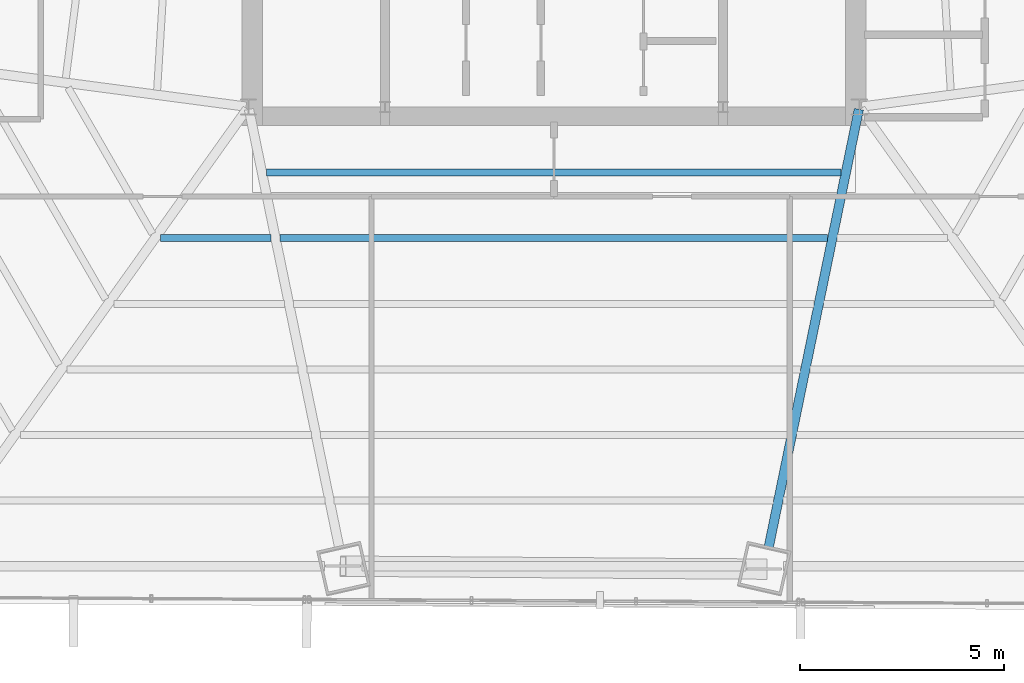
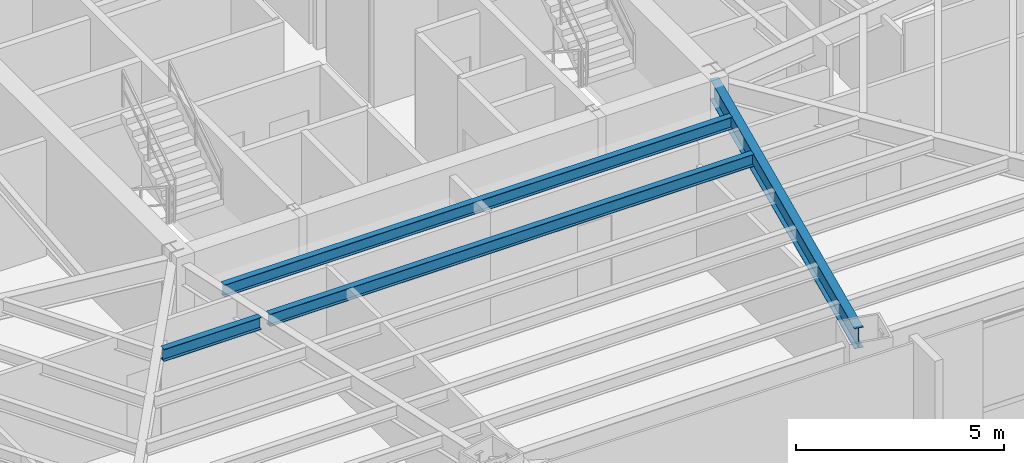
# One storey, part 10 of 35: 4 beams.
"""IFC4 building model written with IfcOpenShell, lengths in metres."""

import ifcopenshell
import ifcopenshell.guid

model = None  # the IFC model being written
_history = None  # IfcOwnerHistory: only IFC2X3 demands one
_inside = {}  # id of a spatial element -> (the spatial element, [elements in it])
_under = {}  # id of a project, library or spatial element -> (it, [spatial elements below it])
_declared = {}  # id of a project -> (the project, [libraries it declares])
_typed = {}  # id of a type object -> (the type object, [elements of that type])
_made_of = {}  # id of a material, layer set ... -> (it, [elements and type objects made of it])


def new_model(schema):
    """Start an empty IFC model of exactly this schema.

    Asked for "IFC4X3", IfcOpenShell would pick the latest addendum, in which some entities
    have other attributes; the version numbers below select the first issue.
    IFC2X3 requires an IfcOwnerHistory on every rooted entity: one is made here for all.
    """
    global model, _history
    if schema == "IFC4X3":
        model = ifcopenshell.file(schema_version=(4, 3, 0, 0))
    else:
        model = ifcopenshell.file(schema=schema)
    _inside.clear()
    _under.clear()
    _declared.clear()
    _typed.clear()
    _made_of.clear()
    _history = None
    if model.schema == "IFC2X3":
        org = make("IfcOrganization", Name="unknown")
        user = make(
            "IfcPersonAndOrganization",
            ThePerson=make("IfcPerson", FamilyName="unknown"),
            TheOrganization=org,
        )
        app = make(
            "IfcApplication",
            ApplicationDeveloper=org,
            Version="unknown",
            ApplicationFullName="unknown",
            ApplicationIdentifier="unknown",
        )
        _history = make(
            "IfcOwnerHistory",
            OwningUser=user,
            OwningApplication=app,
            ChangeAction="ADDED",
            CreationDate=0,
        )
    return model


def make(cls, **values):
    """One entity of the class cls with the attributes given. An attribute that is None is left unset."""
    return model.create_entity(
        cls, **{name: value for name, value in values.items() if value is not None}
    )


def rooted(cls, **values):
    """An entity with a GlobalId (a new one), such as an element, a storey or a relation."""
    return make(cls, GlobalId=ifcopenshell.guid.new(), OwnerHistory=_history, **values)


def si_unit(unit_type, name, prefix=None):
    """IfcSIUnit, for example si_unit("LENGTHUNIT", "METRE", prefix="MILLI")."""
    return make("IfcSIUnit", UnitType=unit_type, Prefix=prefix, Name=name)


def assignment(units):
    """IfcUnitAssignment: the units of a project."""
    return None if units is None else make("IfcUnitAssignment", Units=units)


def point(xyz):
    """IfcCartesianPoint."""
    return None if xyz is None else make("IfcCartesianPoint", Coordinates=xyz)


def direction(xyz):
    """IfcDirection."""
    return None if xyz is None else make("IfcDirection", DirectionRatios=xyz)


def frame(location, z_axis=None, x_axis=None):
    """IfcAxis2Placement3D, a coordinate frame: its origin and axes. An axis left out is left unset."""
    return make(
        "IfcAxis2Placement3D",
        Location=point(location),
        Axis=direction(z_axis),
        RefDirection=direction(x_axis),
    )


def frame_2d(location, x_axis=None):
    """IfcAxis2Placement2D, a coordinate frame in the plane: its origin and x axis."""
    return make(
        "IfcAxis2Placement2D", Location=point(location), RefDirection=direction(x_axis)
    )


def origin():
    """The frame at (0, 0, 0) with its axes left unset."""
    return frame((0.0, 0.0, 0.0))


def origin_2d():
    """The frame at (0, 0) in the plane with its x axis left unset."""
    return frame_2d((0.0, 0.0))


def place(relative_to, where):
    """IfcLocalPlacement: puts the frame where relative to a parent placement (None: the world)."""
    return make(
        "IfcLocalPlacement", PlacementRelTo=relative_to, RelativePlacement=where
    )


def context(
    kind, dimensions, precision=None, world=None, true_north=None, identifier=None
):
    """IfcGeometricRepresentationContext, for example the 3D "Model" context."""
    return make(
        "IfcGeometricRepresentationContext",
        ContextIdentifier=identifier,
        ContextType=kind,
        CoordinateSpaceDimension=dimensions,
        Precision=precision,
        WorldCoordinateSystem=world,
        TrueNorth=true_north,
    )


def subcontext(parent, identifier, kind, view, scale=None):
    """IfcGeometricRepresentationSubContext, for example "Body" below "Model"."""
    return make(
        "IfcGeometricRepresentationSubContext",
        ContextIdentifier=identifier,
        ContextType=kind,
        ParentContext=parent,
        TargetScale=scale,
        TargetView=view,
    )


def project(units=None, contexts=None):
    """IfcProject with its units and contexts."""
    return rooted(
        "IfcProject",
        Name="project",
        RepresentationContexts=contexts,
        UnitsInContext=assignment(units),
    )


def spatial(cls, under=None, at=None, **own):
    """A site, building, storey or space (cls), placed at a placement, below another one or the project."""
    s = rooted(cls, ObjectPlacement=at, **own)
    if under is not None:
        _under.setdefault(under.id(), (under, []))[1].append(s)
    return s


def profile(cls, at=None, kind="AREA", **sizes):
    """A parametric profile (cls). Its sizes go by their IFC names, for example OverallWidth=200.0."""
    return make(cls, ProfileType=kind, Position=at, **sizes)


def i_section(**sizes):
    """IfcIShapeProfileDef."""
    return profile("IfcIShapeProfileDef", **sizes)


def extrude(swept, where, along, depth):
    """IfcExtrudedAreaSolid: the profile swept, set in the frame where, extruded along a direction by depth."""
    return make(
        "IfcExtrudedAreaSolid",
        SweptArea=swept,
        Position=where,
        ExtrudedDirection=direction(along),
        Depth=depth,
    )


def shape(context_of_items, identifier, shape_type, items):
    """IfcShapeRepresentation: the items that make up one representation, for example the "Body"."""
    return make(
        "IfcShapeRepresentation",
        ContextOfItems=context_of_items,
        RepresentationIdentifier=identifier,
        RepresentationType=shape_type,
        Items=items,
    )


def source(mapping_origin, context_of_items, identifier, shape_type, items):
    """IfcRepresentationMap: a shape defined once, which mapped items show again and again."""
    return make(
        "IfcRepresentationMap",
        MappingOrigin=mapping_origin,
        MappedRepresentation=shape(context_of_items, identifier, shape_type, items),
    )


def transform(
    local_origin,
    x_axis=None,
    y_axis=None,
    z_axis=None,
    scale=None,
    scale2=None,
    scale3=None,
    uniform=True,
):
    """IfcCartesianTransformationOperator3D, or its non-uniform kind. x_axis, y_axis, z_axis: its Axis1, 2, 3."""
    if uniform:
        return make(
            "IfcCartesianTransformationOperator3D",
            Axis1=direction(x_axis),
            Axis2=direction(y_axis),
            LocalOrigin=point(local_origin),
            Scale=scale,
            Axis3=direction(z_axis),
        )
    return make(
        "IfcCartesianTransformationOperator3DnonUniform",
        Axis1=direction(x_axis),
        Axis2=direction(y_axis),
        LocalOrigin=point(local_origin),
        Scale=scale,
        Axis3=direction(z_axis),
        Scale2=scale2,
        Scale3=scale3,
    )


def mapped(mapping_source, mapping_target):
    """IfcMappedItem: shows the shape of a source again, moved by a transform."""
    return make(
        "IfcMappedItem", MappingSource=mapping_source, MappingTarget=mapping_target
    )


def material(Name=None, Category=None):
    """IfcMaterial."""
    return make("IfcMaterial", Name=Name, Category=Category)


def material_profile(
    of_material, cross_section, Name=None, Category=None, Priority=None
):
    """IfcMaterialProfile: a cross section and its material."""
    return make(
        "IfcMaterialProfile",
        Name=Name,
        Material=of_material,
        Profile=cross_section,
        Priority=Priority,
        Category=Category,
    )


def profile_set(profiles, Name=None, composite=None):
    """IfcMaterialProfileSet."""
    return make(
        "IfcMaterialProfileSet",
        Name=Name,
        MaterialProfiles=profiles,
        CompositeProfile=composite,
    )


def made_of(thing, what):
    """Note that an element or type object is made of a material, layer set ...; save() writes the relation."""
    if what is not None:
        _made_of.setdefault(what.id(), (what, []))[1].append(thing)
    return thing


def type_object(cls, material=None, **own):
    """A type object (cls), such as IfcWallType, which elements share."""
    return made_of(rooted(cls, **own), material)


def type_shapes(of_type, sources):
    """Give a type object the sources (RepresentationMaps) that its elements show as mapped items."""
    of_type.RepresentationMaps = sources


def element(
    cls,
    number,
    at=None,
    inside=None,
    cuts=None,
    type_object=None,
    material=None,
    context=None,
    identifier="Body",
    shape_type=None,
    held_by="IfcProductDefinitionShape",
    body=None,
    shapes=None,
    **own,
):
    """One element of the class cls, such as IfcWall. Its Tag is "e" and its number.

    at: its placement. inside: the storey or other place that contains it. cuts: it is an
    opening in that element (IfcRelVoidsElement). A single representation is given by context,
    identifier, shape_type and body (its items); several are given by shapes. held_by: the class
    of the entity that holds the representations. save() writes the other relations.
    """
    e = rooted(cls, Tag="e%d" % number, ObjectPlacement=at, **own)
    if body is not None:
        shapes = [shape(context, identifier, shape_type, body)]
    if shapes is not None:
        e.Representation = make(held_by, Representations=shapes)
    if inside is not None:
        _inside.setdefault(inside.id(), (inside, []))[1].append(e)
    if cuts is not None:
        rooted(
            "IfcRelVoidsElement", RelatingBuildingElement=cuts, RelatedOpeningElement=e
        )
    if type_object is not None:
        _typed.setdefault(type_object.id(), (type_object, []))[1].append(e)
    return made_of(e, material)


def aggregate(whole, parts):
    """IfcRelAggregates: a whole, such as a stair, and the parts it consists of."""
    return rooted("IfcRelAggregates", RelatingObject=whole, RelatedObjects=parts)


def save(model, path):
    """Write the relations noted so far, then the file.

    IfcRelAggregates (storeys below a building ...), IfcRelContainedInSpatialStructure (elements
    in a storey), IfcRelDefinesByType, IfcRelAssociatesMaterial and IfcRelDeclares: one each for
    every whole, place, type object, material and project.
    """
    for whole, parts in _under.values():
        aggregate(whole, parts)
    for where, things in _inside.values():
        rooted(
            "IfcRelContainedInSpatialStructure",
            RelatedElements=things,
            RelatingStructure=where,
        )
    for kind, things in _typed.values():
        rooted("IfcRelDefinesByType", RelatedObjects=things, RelatingType=kind)
    for what, things in _made_of.values():
        rooted("IfcRelAssociatesMaterial", RelatedObjects=things, RelatingMaterial=what)
    for by, libraries in _declared.values():
        rooted("IfcRelDeclares", RelatingContext=by, RelatedDefinitions=libraries)
    model.write(path)


model = new_model("IFC4")

# Units and contexts
model_context = context("Model", 3, precision=1e-05, world=origin(), true_north=direction((0.0, 1.0)))
body_context = subcontext(model_context, "Body", "Model", "MODEL_VIEW")
ifc_project = project(units=[si_unit("LENGTHUNIT", "METRE"), si_unit("AREAUNIT", "SQUARE_METRE"), si_unit("VOLUMEUNIT", "CUBIC_METRE"), si_unit("PLANEANGLEUNIT", "RADIAN"), si_unit("MASSUNIT", "GRAM", prefix="KILO")], contexts=[model_context])

# Site, building, storey
site_placement = place(None, origin())
site = spatial("IfcSite", under=ifc_project, at=site_placement, CompositionType="ELEMENT")
building_placement = place(site_placement, origin())
building = spatial("IfcBuilding", under=site, at=building_placement, Name="Caelisora Broadcast Tower", CompositionType="ELEMENT")
storey_placement = place(building_placement, frame((0.0, 0.0, 90.800048828125)))
storey = spatial("IfcBuildingStorey", under=building, at=storey_placement, Name="L23", CompositionType="ELEMENT", Elevation=90.800048828125)

# Beams
ifc_material = material(Name="Steel Grade 350 (AS/NZS 3679.1)", Category="steel")
ifc_material_profile_1 = material_profile(ifc_material, i_section(OverallWidth=0.22802734375, OverallDepth=0.602294921875, WebThickness=0.010498046875, FlangeThickness=0.014892578125, at=origin_2d()), Name="Steel Grade 350 (AS/NZS 3679.1)")
ifc_profile_set_1 = profile_set([ifc_material_profile_1], Name="Steel Grade 350 (AS/NZS 3679.1)")
beam_type_1 = type_object("IfcBeamType", Name="PG04", PredefinedType="BEAM", material=ifc_profile_set_1)
shared_shape_1 = source(origin(), body_context, "Body", "SweptSolid", [
    extrude(i_section(OverallWidth=0.22802734375, OverallDepth=0.602294921875, WebThickness=0.010498046875, FlangeThickness=0.014892578125, at=origin_2d()), origin(), (0.0, 0.0, 1.0), 11.03271484375),
])
type_shapes(beam_type_1, [shared_shape_1])
beam_1_placement = place(storey_placement, frame((45.48779296875, 17.34130859375, 3.098876953125), z_axis=(-0.201725972635, -0.979442000307, 0.0), x_axis=(0.979442000307, -0.201725972635, 0.0)))
element("IfcBeam", 1, at=beam_1_placement, inside=storey, type_object=beam_type_1, Name="L23 beam PG04", PredefinedType="BEAM", context=body_context, shape_type="MappedRepresentation", body=[
    mapped(shared_shape_1, transform((0.0, 0.0, 0.0), scale=1.0)),
])
ifc_material_profile_2 = material_profile(ifc_material, i_section(OverallWidth=0.172119140625, OverallDepth=0.358642578125, WebThickness=0.008056640625, FlangeThickness=0.012939453125, at=origin_2d()), Name="Steel Grade 350 (AS/NZS 3679.1)")
ifc_profile_set_2 = profile_set([ifc_material_profile_2], Name="Steel Grade 350 (AS/NZS 3679.1)")
beam_type_2 = type_object("IfcBeamType", Name="SB02", PredefinedType="JOIST", material=ifc_profile_set_2)
shared_shape_2 = source(origin(), body_context, "Body", "SweptSolid", [
    extrude(i_section(OverallWidth=0.172119140625, OverallDepth=0.358642578125, WebThickness=0.008056640625, FlangeThickness=0.012939453125, at=origin_2d()), origin(), (0.0, 0.0, 1.0), 2.708251953125),
])
beam_2_placement = place(storey_placement, frame((28.341796875, 14.17822265625, 3.220703125), z_axis=(1.0, 0.0, 0.0), x_axis=(0.0, 1.0, 0.0)))
element("IfcBeam", 2, at=beam_2_placement, inside=storey, type_object=beam_type_2, Name="L23 beam SB02", PredefinedType="JOIST", context=body_context, shape_type="MappedRepresentation", body=[
    mapped(shared_shape_2, transform((0.0, 0.0, 0.0), scale=1.0)),
])
shared_shape_3 = source(origin(), body_context, "Body", "SweptSolid", [
    extrude(i_section(OverallWidth=0.172119140625, OverallDepth=0.358642578125, WebThickness=0.008056640625, FlangeThickness=0.012939453125, at=origin_2d()), origin(), (0.0, 0.0, 1.0), 14.109375),
])
beam_3_placement = place(storey_placement, frame((30.9453125, 15.789306640625, 3.220703125), z_axis=(1.0, 0.0, 0.0), x_axis=(0.0, 1.0, 0.0)))
element("IfcBeam", 3, at=beam_3_placement, inside=storey, type_object=beam_type_2, Name="L23 beam SB02", PredefinedType="JOIST", context=body_context, shape_type="MappedRepresentation", body=[
    mapped(shared_shape_3, transform((0.0, 0.0, 0.0), scale=1.0)),
])
shared_shape_4 = source(origin(), body_context, "Body", "SweptSolid", [
    extrude(i_section(OverallWidth=0.172119140625, OverallDepth=0.358642578125, WebThickness=0.008056640625, FlangeThickness=0.012939453125, at=origin_2d()), origin(), (0.0, 0.0, 1.0), 13.4462890625),
])
type_shapes(beam_type_2, [shared_shape_2, shared_shape_3, shared_shape_4])
beam_4_placement = place(storey_placement, frame((31.27685546875, 14.17822265625, 3.220703125), z_axis=(1.0, 0.0, 0.0), x_axis=(0.0, 1.0, 0.0)))
element("IfcBeam", 4, at=beam_4_placement, inside=storey, type_object=beam_type_2, Name="L23 beam SB02", PredefinedType="JOIST", context=body_context, shape_type="MappedRepresentation", body=[
    mapped(shared_shape_4, transform((0.0, 0.0, 0.0), scale=1.0)),
])

save(model, "model.ifc")
